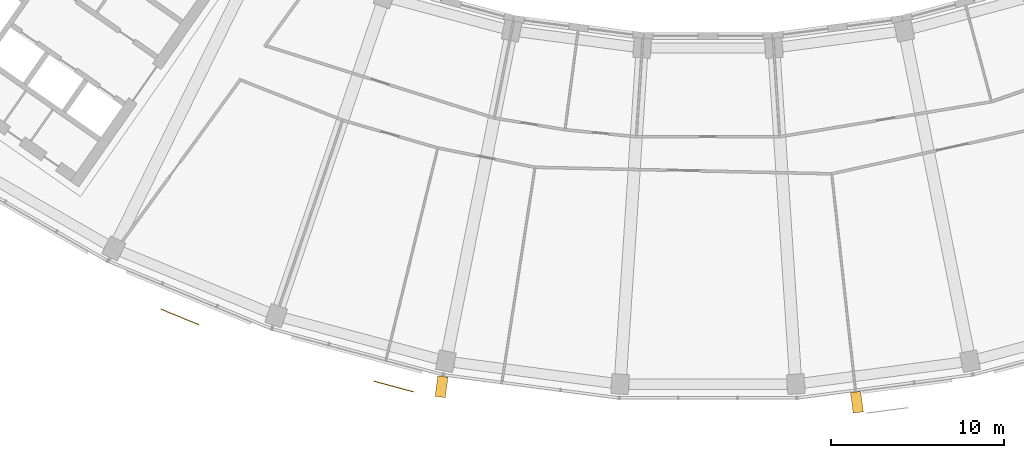
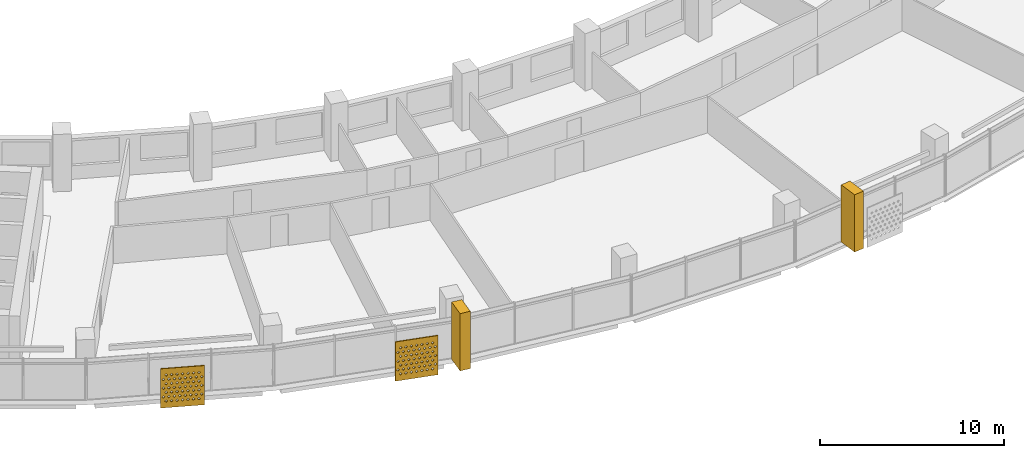
# One storey, part 25 of 28: 4 shading devices.
"""IFC4 building model written with IfcOpenShell, lengths in metres."""

from ifc_helpers import new_model, si_unit, direction, frame, origin, place, context, subcontext, project, spatial, polyline, outline, extrude, material, material_profile, profile_set, type_object, element, save


model = new_model("IFC4")

# Units and contexts
model_context = context("Model", 3, precision=1e-05, world=origin(), true_north=direction((0.0, 1.0)))
body_context = subcontext(model_context, "Body", "Model", "MODEL_VIEW")
ifc_project = project(units=[si_unit("LENGTHUNIT", "METRE"), si_unit("AREAUNIT", "SQUARE_METRE"), si_unit("VOLUMEUNIT", "CUBIC_METRE"), si_unit("PLANEANGLEUNIT", "RADIAN"), si_unit("MASSUNIT", "GRAM", prefix="KILO")], contexts=[model_context])

# Site, building, storey
site_placement = place(None, origin())
site = spatial("IfcSite", under=ifc_project, at=site_placement, CompositionType="ELEMENT")
building_placement = place(site_placement, origin())
building = spatial("IfcBuilding", under=site, at=building_placement, Name="Qamariyya Broadcast Tower", CompositionType="ELEMENT")
storey_placement = place(building_placement, frame((0.0, 0.0, 215.10009765625)))
storey = spatial("IfcBuildingStorey", under=building, at=storey_placement, Name="L51", CompositionType="ELEMENT", Elevation=215.10009765625)

# Shading devices
ifc_material_1 = material(Name="Steel S355 powder coated deep red", Category="steel")
shading_device_type_1 = type_object("IfcShadingDeviceType", Name="Deep red frame, powder coated steel box section", PredefinedType="USERDEFINED", material=ifc_material_1)
shading_device_1_placement = place(storey_placement, origin())
element("IfcShadingDevice", 1, at=shading_device_1_placement, inside=storey, type_object=shading_device_type_1, Name="e-frm-B4-F2-posta-L51", ObjectType="FRAME", PredefinedType="USERDEFINED", context=body_context, shape_type="SweptSolid", body=[
    extrude(outline(polyline([(-15.641357421875, -77.099609375), (-15.7978515625, -78.289306640625), (-15.203125, -78.36767578125), (-15.04638671875, -77.177978515625), (-15.641357421875, -77.099609375)])), origin(), (0.0, 0.0, 1.0), 3.7998046875),
])
shading_device_2_placement = place(storey_placement, origin())
element("IfcShadingDevice", 2, at=shading_device_2_placement, inside=storey, type_object=shading_device_type_1, Name="e-frm-B4-F2-postb-L51", ObjectType="FRAME", PredefinedType="USERDEFINED", context=body_context, shape_type="SweptSolid", body=[
    extrude(outline(polyline([(8.24658203125, -78.0732421875), (8.403076171875, -79.262939453125), (8.998046875, -79.1845703125), (8.84130859375, -77.994873046875), (8.24658203125, -78.0732421875)])), origin(), (0.0, 0.0, 1.0), 3.7998046875),
])
ifc_material_2 = material(Name="Perforated glazed terracotta", Category="masonry")
ifc_material_profile = material_profile(ifc_material_2, outline(polyline([(-1.199951171875, -1.300048828125), (1.199951171875, -1.300048828125), (1.199951171875, 1.300048828125), (-1.199951171875, 1.300048828125), (-1.199951171875, -1.300048828125)]), holes=[polyline([(-0.81494140625, -0.86669921875), (-0.89990234375, -0.78173828125), (-0.985107421875, -0.86669921875), (-0.89990234375, -0.95166015625), (-0.81494140625, -0.86669921875)]), polyline([(-0.514892578125, -0.86669921875), (-0.60009765625, -0.78173828125), (-0.68505859375, -0.86669921875), (-0.60009765625, -0.95166015625), (-0.514892578125, -0.86669921875)]), polyline([(-0.215087890625, -0.86669921875), (-0.300048828125, -0.78173828125), (-0.385009765625, -0.86669921875), (-0.300048828125, -0.95166015625), (-0.215087890625, -0.86669921875)]), polyline([(0.0849609375, -0.86669921875), (0.0, -0.78173828125), (-0.0849609375, -0.86669921875), (0.0, -0.95166015625), (0.0849609375, -0.86669921875)]), polyline([(0.385009765625, -0.86669921875), (0.300048828125, -0.78173828125), (0.215087890625, -0.86669921875), (0.300048828125, -0.95166015625), (0.385009765625, -0.86669921875)]), polyline([(0.68505859375, -0.86669921875), (0.60009765625, -0.78173828125), (0.514892578125, -0.86669921875), (0.60009765625, -0.95166015625), (0.68505859375, -0.86669921875)]), polyline([(0.985107421875, -0.86669921875), (0.89990234375, -0.78173828125), (0.81494140625, -0.86669921875), (0.89990234375, -0.95166015625), (0.985107421875, -0.86669921875)]), polyline([(-0.965087890625, -0.577880859375), (-1.050048828125, -0.49267578125), (-1.135009765625, -0.577880859375), (-1.050048828125, -0.662841796875), (-0.965087890625, -0.577880859375)]), polyline([(-0.6650390625, -0.577880859375), (-0.75, -0.49267578125), (-0.8349609375, -0.577880859375), (-0.75, -0.662841796875), (-0.6650390625, -0.577880859375)]), polyline([(-0.364990234375, -0.577880859375), (-0.449951171875, -0.49267578125), (-0.534912109375, -0.577880859375), (-0.449951171875, -0.662841796875), (-0.364990234375, -0.577880859375)]), polyline([(-0.06494140625, -0.577880859375), (-0.14990234375, -0.49267578125), (-0.235107421875, -0.577880859375), (-0.14990234375, -0.662841796875), (-0.06494140625, -0.577880859375)]), polyline([(0.235107421875, -0.577880859375), (0.14990234375, -0.49267578125), (0.06494140625, -0.577880859375), (0.14990234375, -0.662841796875), (0.235107421875, -0.577880859375)]), polyline([(0.534912109375, -0.577880859375), (0.449951171875, -0.49267578125), (0.364990234375, -0.577880859375), (0.449951171875, -0.662841796875), (0.534912109375, -0.577880859375)]), polyline([(0.8349609375, -0.577880859375), (0.75, -0.49267578125), (0.6650390625, -0.577880859375), (0.75, -0.662841796875), (0.8349609375, -0.577880859375)]), polyline([(1.135009765625, -0.577880859375), (1.050048828125, -0.49267578125), (0.965087890625, -0.577880859375), (1.050048828125, -0.662841796875), (1.135009765625, -0.577880859375)]), polyline([(-0.81494140625, -0.288818359375), (-0.89990234375, -0.203857421875), (-0.985107421875, -0.288818359375), (-0.89990234375, -0.373779296875), (-0.81494140625, -0.288818359375)]), polyline([(-0.514892578125, -0.288818359375), (-0.60009765625, -0.203857421875), (-0.68505859375, -0.288818359375), (-0.60009765625, -0.373779296875), (-0.514892578125, -0.288818359375)]), polyline([(-0.215087890625, -0.288818359375), (-0.300048828125, -0.203857421875), (-0.385009765625, -0.288818359375), (-0.300048828125, -0.373779296875), (-0.215087890625, -0.288818359375)]), polyline([(0.0849609375, -0.288818359375), (0.0, -0.203857421875), (-0.0849609375, -0.288818359375), (0.0, -0.373779296875), (0.0849609375, -0.288818359375)]), polyline([(0.385009765625, -0.288818359375), (0.300048828125, -0.203857421875), (0.215087890625, -0.288818359375), (0.300048828125, -0.373779296875), (0.385009765625, -0.288818359375)]), polyline([(0.68505859375, -0.288818359375), (0.60009765625, -0.203857421875), (0.514892578125, -0.288818359375), (0.60009765625, -0.373779296875), (0.68505859375, -0.288818359375)]), polyline([(0.985107421875, -0.288818359375), (0.89990234375, -0.203857421875), (0.81494140625, -0.288818359375), (0.89990234375, -0.373779296875), (0.985107421875, -0.288818359375)]), polyline([(-0.965087890625, 0.0), (-1.050048828125, 0.0849609375), (-1.135009765625, 0.0), (-1.050048828125, -0.0849609375), (-0.965087890625, 0.0)]), polyline([(-0.6650390625, 0.0), (-0.75, 0.0849609375), (-0.8349609375, 0.0), (-0.75, -0.0849609375), (-0.6650390625, 0.0)]), polyline([(-0.364990234375, 0.0), (-0.449951171875, 0.0849609375), (-0.534912109375, 0.0), (-0.449951171875, -0.0849609375), (-0.364990234375, 0.0)]), polyline([(-0.06494140625, 0.0), (-0.14990234375, 0.0849609375), (-0.235107421875, 0.0), (-0.14990234375, -0.0849609375), (-0.06494140625, 0.0)]), polyline([(0.235107421875, 0.0), (0.14990234375, 0.0849609375), (0.06494140625, 0.0), (0.14990234375, -0.0849609375), (0.235107421875, 0.0)]), polyline([(0.534912109375, 0.0), (0.449951171875, 0.0849609375), (0.364990234375, 0.0), (0.449951171875, -0.0849609375), (0.534912109375, 0.0)]), polyline([(0.8349609375, 0.0), (0.75, 0.0849609375), (0.6650390625, 0.0), (0.75, -0.0849609375), (0.8349609375, 0.0)]), polyline([(1.135009765625, 0.0), (1.050048828125, 0.0849609375), (0.965087890625, 0.0), (1.050048828125, -0.0849609375), (1.135009765625, 0.0)]), polyline([(-0.81494140625, 0.288818359375), (-0.89990234375, 0.373779296875), (-0.985107421875, 0.288818359375), (-0.89990234375, 0.203857421875), (-0.81494140625, 0.288818359375)]), polyline([(-0.514892578125, 0.288818359375), (-0.60009765625, 0.373779296875), (-0.68505859375, 0.288818359375), (-0.60009765625, 0.203857421875), (-0.514892578125, 0.288818359375)]), polyline([(-0.215087890625, 0.288818359375), (-0.300048828125, 0.373779296875), (-0.385009765625, 0.288818359375), (-0.300048828125, 0.203857421875), (-0.215087890625, 0.288818359375)]), polyline([(0.0849609375, 0.288818359375), (0.0, 0.373779296875), (-0.0849609375, 0.288818359375), (0.0, 0.203857421875), (0.0849609375, 0.288818359375)]), polyline([(0.385009765625, 0.288818359375), (0.300048828125, 0.373779296875), (0.215087890625, 0.288818359375), (0.300048828125, 0.203857421875), (0.385009765625, 0.288818359375)]), polyline([(0.68505859375, 0.288818359375), (0.60009765625, 0.373779296875), (0.514892578125, 0.288818359375), (0.60009765625, 0.203857421875), (0.68505859375, 0.288818359375)]), polyline([(0.985107421875, 0.288818359375), (0.89990234375, 0.373779296875), (0.81494140625, 0.288818359375), (0.89990234375, 0.203857421875), (0.985107421875, 0.288818359375)]), polyline([(-0.965087890625, 0.577880859375), (-1.050048828125, 0.662841796875), (-1.135009765625, 0.577880859375), (-1.050048828125, 0.49267578125), (-0.965087890625, 0.577880859375)]), polyline([(-0.6650390625, 0.577880859375), (-0.75, 0.662841796875), (-0.8349609375, 0.577880859375), (-0.75, 0.49267578125), (-0.6650390625, 0.577880859375)]), polyline([(-0.364990234375, 0.577880859375), (-0.449951171875, 0.662841796875), (-0.534912109375, 0.577880859375), (-0.449951171875, 0.49267578125), (-0.364990234375, 0.577880859375)]), polyline([(-0.06494140625, 0.577880859375), (-0.14990234375, 0.662841796875), (-0.235107421875, 0.577880859375), (-0.14990234375, 0.49267578125), (-0.06494140625, 0.577880859375)]), polyline([(0.235107421875, 0.577880859375), (0.14990234375, 0.662841796875), (0.06494140625, 0.577880859375), (0.14990234375, 0.49267578125), (0.235107421875, 0.577880859375)]), polyline([(0.534912109375, 0.577880859375), (0.449951171875, 0.662841796875), (0.364990234375, 0.577880859375), (0.449951171875, 0.49267578125), (0.534912109375, 0.577880859375)]), polyline([(0.8349609375, 0.577880859375), (0.75, 0.662841796875), (0.6650390625, 0.577880859375), (0.75, 0.49267578125), (0.8349609375, 0.577880859375)]), polyline([(1.135009765625, 0.577880859375), (1.050048828125, 0.662841796875), (0.965087890625, 0.577880859375), (1.050048828125, 0.49267578125), (1.135009765625, 0.577880859375)]), polyline([(-0.81494140625, 0.86669921875), (-0.89990234375, 0.95166015625), (-0.985107421875, 0.86669921875), (-0.89990234375, 0.78173828125), (-0.81494140625, 0.86669921875)]), polyline([(-0.514892578125, 0.86669921875), (-0.60009765625, 0.95166015625), (-0.68505859375, 0.86669921875), (-0.60009765625, 0.78173828125), (-0.514892578125, 0.86669921875)]), polyline([(-0.215087890625, 0.86669921875), (-0.300048828125, 0.95166015625), (-0.385009765625, 0.86669921875), (-0.300048828125, 0.78173828125), (-0.215087890625, 0.86669921875)]), polyline([(0.0849609375, 0.86669921875), (0.0, 0.95166015625), (-0.0849609375, 0.86669921875), (0.0, 0.78173828125), (0.0849609375, 0.86669921875)]), polyline([(0.385009765625, 0.86669921875), (0.300048828125, 0.95166015625), (0.215087890625, 0.86669921875), (0.300048828125, 0.78173828125), (0.385009765625, 0.86669921875)]), polyline([(0.68505859375, 0.86669921875), (0.60009765625, 0.95166015625), (0.514892578125, 0.86669921875), (0.60009765625, 0.78173828125), (0.68505859375, 0.86669921875)]), polyline([(0.985107421875, 0.86669921875), (0.89990234375, 0.95166015625), (0.81494140625, 0.86669921875), (0.89990234375, 0.78173828125), (0.985107421875, 0.86669921875)])]))
ifc_profile_set = profile_set([ifc_material_profile], Name="Perforated glazed terracotta")
shading_device_type_2 = type_object("IfcShadingDeviceType", Name="Perforated terracotta screen 2400 x 2600", PredefinedType="USERDEFINED", material=ifc_profile_set)
shading_device_3_placement = place(storey_placement, frame((-30.552978515625, -73.6669921875, 1.349853515625), z_axis=(-0.381157654408, -0.924510055373, 0.0), x_axis=(0.924510055373, -0.381157654408, 0.0)))
element("IfcShadingDevice", 3, at=shading_device_3_placement, inside=storey, type_object=shading_device_type_2, Name="e-scr-L51-05-1", ObjectType="SCREEN", PredefinedType="USERDEFINED", context=body_context, shape_type="SweptSolid", body=[
    extrude(outline(polyline([(-1.199951171875, -1.300048828125), (1.199951171875, -1.300048828125), (1.199951171875, 1.300048828125), (-1.199951171875, 1.300048828125), (-1.199951171875, -1.300048828125)]), holes=[polyline([(-0.81494140625, -0.86669921875), (-0.89990234375, -0.78173828125), (-0.985107421875, -0.86669921875), (-0.89990234375, -0.95166015625), (-0.81494140625, -0.86669921875)]), polyline([(-0.514892578125, -0.86669921875), (-0.60009765625, -0.78173828125), (-0.68505859375, -0.86669921875), (-0.60009765625, -0.95166015625), (-0.514892578125, -0.86669921875)]), polyline([(-0.215087890625, -0.86669921875), (-0.300048828125, -0.78173828125), (-0.385009765625, -0.86669921875), (-0.300048828125, -0.95166015625), (-0.215087890625, -0.86669921875)]), polyline([(0.0849609375, -0.86669921875), (0.0, -0.78173828125), (-0.0849609375, -0.86669921875), (0.0, -0.95166015625), (0.0849609375, -0.86669921875)]), polyline([(0.385009765625, -0.86669921875), (0.300048828125, -0.78173828125), (0.215087890625, -0.86669921875), (0.300048828125, -0.95166015625), (0.385009765625, -0.86669921875)]), polyline([(0.68505859375, -0.86669921875), (0.60009765625, -0.78173828125), (0.514892578125, -0.86669921875), (0.60009765625, -0.95166015625), (0.68505859375, -0.86669921875)]), polyline([(0.985107421875, -0.86669921875), (0.89990234375, -0.78173828125), (0.81494140625, -0.86669921875), (0.89990234375, -0.95166015625), (0.985107421875, -0.86669921875)]), polyline([(-0.965087890625, -0.577880859375), (-1.050048828125, -0.49267578125), (-1.135009765625, -0.577880859375), (-1.050048828125, -0.662841796875), (-0.965087890625, -0.577880859375)]), polyline([(-0.6650390625, -0.577880859375), (-0.75, -0.49267578125), (-0.8349609375, -0.577880859375), (-0.75, -0.662841796875), (-0.6650390625, -0.577880859375)]), polyline([(-0.364990234375, -0.577880859375), (-0.449951171875, -0.49267578125), (-0.534912109375, -0.577880859375), (-0.449951171875, -0.662841796875), (-0.364990234375, -0.577880859375)]), polyline([(-0.06494140625, -0.577880859375), (-0.14990234375, -0.49267578125), (-0.235107421875, -0.577880859375), (-0.14990234375, -0.662841796875), (-0.06494140625, -0.577880859375)]), polyline([(0.235107421875, -0.577880859375), (0.14990234375, -0.49267578125), (0.06494140625, -0.577880859375), (0.14990234375, -0.662841796875), (0.235107421875, -0.577880859375)]), polyline([(0.534912109375, -0.577880859375), (0.449951171875, -0.49267578125), (0.364990234375, -0.577880859375), (0.449951171875, -0.662841796875), (0.534912109375, -0.577880859375)]), polyline([(0.8349609375, -0.577880859375), (0.75, -0.49267578125), (0.6650390625, -0.577880859375), (0.75, -0.662841796875), (0.8349609375, -0.577880859375)]), polyline([(1.135009765625, -0.577880859375), (1.050048828125, -0.49267578125), (0.965087890625, -0.577880859375), (1.050048828125, -0.662841796875), (1.135009765625, -0.577880859375)]), polyline([(-0.81494140625, -0.288818359375), (-0.89990234375, -0.203857421875), (-0.985107421875, -0.288818359375), (-0.89990234375, -0.373779296875), (-0.81494140625, -0.288818359375)]), polyline([(-0.514892578125, -0.288818359375), (-0.60009765625, -0.203857421875), (-0.68505859375, -0.288818359375), (-0.60009765625, -0.373779296875), (-0.514892578125, -0.288818359375)]), polyline([(-0.215087890625, -0.288818359375), (-0.300048828125, -0.203857421875), (-0.385009765625, -0.288818359375), (-0.300048828125, -0.373779296875), (-0.215087890625, -0.288818359375)]), polyline([(0.0849609375, -0.288818359375), (0.0, -0.203857421875), (-0.0849609375, -0.288818359375), (0.0, -0.373779296875), (0.0849609375, -0.288818359375)]), polyline([(0.385009765625, -0.288818359375), (0.300048828125, -0.203857421875), (0.215087890625, -0.288818359375), (0.300048828125, -0.373779296875), (0.385009765625, -0.288818359375)]), polyline([(0.68505859375, -0.288818359375), (0.60009765625, -0.203857421875), (0.514892578125, -0.288818359375), (0.60009765625, -0.373779296875), (0.68505859375, -0.288818359375)]), polyline([(0.985107421875, -0.288818359375), (0.89990234375, -0.203857421875), (0.81494140625, -0.288818359375), (0.89990234375, -0.373779296875), (0.985107421875, -0.288818359375)]), polyline([(-0.965087890625, 0.0), (-1.050048828125, 0.0849609375), (-1.135009765625, 0.0), (-1.050048828125, -0.0849609375), (-0.965087890625, 0.0)]), polyline([(-0.6650390625, 0.0), (-0.75, 0.0849609375), (-0.8349609375, 0.0), (-0.75, -0.0849609375), (-0.6650390625, 0.0)]), polyline([(-0.364990234375, 0.0), (-0.449951171875, 0.0849609375), (-0.534912109375, 0.0), (-0.449951171875, -0.0849609375), (-0.364990234375, 0.0)]), polyline([(-0.06494140625, 0.0), (-0.14990234375, 0.0849609375), (-0.235107421875, 0.0), (-0.14990234375, -0.0849609375), (-0.06494140625, 0.0)]), polyline([(0.235107421875, 0.0), (0.14990234375, 0.0849609375), (0.06494140625, 0.0), (0.14990234375, -0.0849609375), (0.235107421875, 0.0)]), polyline([(0.534912109375, 0.0), (0.449951171875, 0.0849609375), (0.364990234375, 0.0), (0.449951171875, -0.0849609375), (0.534912109375, 0.0)]), polyline([(0.8349609375, 0.0), (0.75, 0.0849609375), (0.6650390625, 0.0), (0.75, -0.0849609375), (0.8349609375, 0.0)]), polyline([(1.135009765625, 0.0), (1.050048828125, 0.0849609375), (0.965087890625, 0.0), (1.050048828125, -0.0849609375), (1.135009765625, 0.0)]), polyline([(-0.81494140625, 0.288818359375), (-0.89990234375, 0.373779296875), (-0.985107421875, 0.288818359375), (-0.89990234375, 0.203857421875), (-0.81494140625, 0.288818359375)]), polyline([(-0.514892578125, 0.288818359375), (-0.60009765625, 0.373779296875), (-0.68505859375, 0.288818359375), (-0.60009765625, 0.203857421875), (-0.514892578125, 0.288818359375)]), polyline([(-0.215087890625, 0.288818359375), (-0.300048828125, 0.373779296875), (-0.385009765625, 0.288818359375), (-0.300048828125, 0.203857421875), (-0.215087890625, 0.288818359375)]), polyline([(0.0849609375, 0.288818359375), (0.0, 0.373779296875), (-0.0849609375, 0.288818359375), (0.0, 0.203857421875), (0.0849609375, 0.288818359375)]), polyline([(0.385009765625, 0.288818359375), (0.300048828125, 0.373779296875), (0.215087890625, 0.288818359375), (0.300048828125, 0.203857421875), (0.385009765625, 0.288818359375)]), polyline([(0.68505859375, 0.288818359375), (0.60009765625, 0.373779296875), (0.514892578125, 0.288818359375), (0.60009765625, 0.203857421875), (0.68505859375, 0.288818359375)]), polyline([(0.985107421875, 0.288818359375), (0.89990234375, 0.373779296875), (0.81494140625, 0.288818359375), (0.89990234375, 0.203857421875), (0.985107421875, 0.288818359375)]), polyline([(-0.965087890625, 0.577880859375), (-1.050048828125, 0.662841796875), (-1.135009765625, 0.577880859375), (-1.050048828125, 0.49267578125), (-0.965087890625, 0.577880859375)]), polyline([(-0.6650390625, 0.577880859375), (-0.75, 0.662841796875), (-0.8349609375, 0.577880859375), (-0.75, 0.49267578125), (-0.6650390625, 0.577880859375)]), polyline([(-0.364990234375, 0.577880859375), (-0.449951171875, 0.662841796875), (-0.534912109375, 0.577880859375), (-0.449951171875, 0.49267578125), (-0.364990234375, 0.577880859375)]), polyline([(-0.06494140625, 0.577880859375), (-0.14990234375, 0.662841796875), (-0.235107421875, 0.577880859375), (-0.14990234375, 0.49267578125), (-0.06494140625, 0.577880859375)]), polyline([(0.235107421875, 0.577880859375), (0.14990234375, 0.662841796875), (0.06494140625, 0.577880859375), (0.14990234375, 0.49267578125), (0.235107421875, 0.577880859375)]), polyline([(0.534912109375, 0.577880859375), (0.449951171875, 0.662841796875), (0.364990234375, 0.577880859375), (0.449951171875, 0.49267578125), (0.534912109375, 0.577880859375)]), polyline([(0.8349609375, 0.577880859375), (0.75, 0.662841796875), (0.6650390625, 0.577880859375), (0.75, 0.49267578125), (0.8349609375, 0.577880859375)]), polyline([(1.135009765625, 0.577880859375), (1.050048828125, 0.662841796875), (0.965087890625, 0.577880859375), (1.050048828125, 0.49267578125), (1.135009765625, 0.577880859375)]), polyline([(-0.81494140625, 0.86669921875), (-0.89990234375, 0.95166015625), (-0.985107421875, 0.86669921875), (-0.89990234375, 0.78173828125), (-0.81494140625, 0.86669921875)]), polyline([(-0.514892578125, 0.86669921875), (-0.60009765625, 0.95166015625), (-0.68505859375, 0.86669921875), (-0.60009765625, 0.78173828125), (-0.514892578125, 0.86669921875)]), polyline([(-0.215087890625, 0.86669921875), (-0.300048828125, 0.95166015625), (-0.385009765625, 0.86669921875), (-0.300048828125, 0.78173828125), (-0.215087890625, 0.86669921875)]), polyline([(0.0849609375, 0.86669921875), (0.0, 0.95166015625), (-0.0849609375, 0.86669921875), (0.0, 0.78173828125), (0.0849609375, 0.86669921875)]), polyline([(0.385009765625, 0.86669921875), (0.300048828125, 0.95166015625), (0.215087890625, 0.86669921875), (0.300048828125, 0.78173828125), (0.385009765625, 0.86669921875)]), polyline([(0.68505859375, 0.86669921875), (0.60009765625, 0.95166015625), (0.514892578125, 0.86669921875), (0.60009765625, 0.78173828125), (0.68505859375, 0.86669921875)]), polyline([(0.985107421875, 0.86669921875), (0.89990234375, 0.95166015625), (0.81494140625, 0.86669921875), (0.89990234375, 0.78173828125), (0.985107421875, 0.86669921875)])]), origin(), (0.0, 0.0, 1.0), 0.060302734375),
])
shading_device_4_placement = place(storey_placement, frame((-18.191650390625, -77.6904296875, 1.349853515625), z_axis=(-0.259682438219, -0.965694067125, 0.0), x_axis=(0.965694067125, -0.259682438219, 0.0)))
element("IfcShadingDevice", 4, at=shading_device_4_placement, inside=storey, type_object=shading_device_type_2, Name="e-scr-L51-06-2", ObjectType="SCREEN", PredefinedType="USERDEFINED", context=body_context, shape_type="SweptSolid", body=[
    extrude(outline(polyline([(-1.199951171875, -1.300048828125), (1.199951171875, -1.300048828125), (1.199951171875, 1.300048828125), (-1.199951171875, 1.300048828125), (-1.199951171875, -1.300048828125)]), holes=[polyline([(-0.81494140625, -0.86669921875), (-0.89990234375, -0.78173828125), (-0.985107421875, -0.86669921875), (-0.89990234375, -0.95166015625), (-0.81494140625, -0.86669921875)]), polyline([(-0.514892578125, -0.86669921875), (-0.60009765625, -0.78173828125), (-0.68505859375, -0.86669921875), (-0.60009765625, -0.95166015625), (-0.514892578125, -0.86669921875)]), polyline([(-0.215087890625, -0.86669921875), (-0.300048828125, -0.78173828125), (-0.385009765625, -0.86669921875), (-0.300048828125, -0.95166015625), (-0.215087890625, -0.86669921875)]), polyline([(0.0849609375, -0.86669921875), (0.0, -0.78173828125), (-0.0849609375, -0.86669921875), (0.0, -0.95166015625), (0.0849609375, -0.86669921875)]), polyline([(0.385009765625, -0.86669921875), (0.300048828125, -0.78173828125), (0.215087890625, -0.86669921875), (0.300048828125, -0.95166015625), (0.385009765625, -0.86669921875)]), polyline([(0.68505859375, -0.86669921875), (0.60009765625, -0.78173828125), (0.514892578125, -0.86669921875), (0.60009765625, -0.95166015625), (0.68505859375, -0.86669921875)]), polyline([(0.985107421875, -0.86669921875), (0.89990234375, -0.78173828125), (0.81494140625, -0.86669921875), (0.89990234375, -0.95166015625), (0.985107421875, -0.86669921875)]), polyline([(-0.965087890625, -0.577880859375), (-1.050048828125, -0.49267578125), (-1.135009765625, -0.577880859375), (-1.050048828125, -0.662841796875), (-0.965087890625, -0.577880859375)]), polyline([(-0.6650390625, -0.577880859375), (-0.75, -0.49267578125), (-0.8349609375, -0.577880859375), (-0.75, -0.662841796875), (-0.6650390625, -0.577880859375)]), polyline([(-0.364990234375, -0.577880859375), (-0.449951171875, -0.49267578125), (-0.534912109375, -0.577880859375), (-0.449951171875, -0.662841796875), (-0.364990234375, -0.577880859375)]), polyline([(-0.06494140625, -0.577880859375), (-0.14990234375, -0.49267578125), (-0.235107421875, -0.577880859375), (-0.14990234375, -0.662841796875), (-0.06494140625, -0.577880859375)]), polyline([(0.235107421875, -0.577880859375), (0.14990234375, -0.49267578125), (0.06494140625, -0.577880859375), (0.14990234375, -0.662841796875), (0.235107421875, -0.577880859375)]), polyline([(0.534912109375, -0.577880859375), (0.449951171875, -0.49267578125), (0.364990234375, -0.577880859375), (0.449951171875, -0.662841796875), (0.534912109375, -0.577880859375)]), polyline([(0.8349609375, -0.577880859375), (0.75, -0.49267578125), (0.6650390625, -0.577880859375), (0.75, -0.662841796875), (0.8349609375, -0.577880859375)]), polyline([(1.135009765625, -0.577880859375), (1.050048828125, -0.49267578125), (0.965087890625, -0.577880859375), (1.050048828125, -0.662841796875), (1.135009765625, -0.577880859375)]), polyline([(-0.81494140625, -0.288818359375), (-0.89990234375, -0.203857421875), (-0.985107421875, -0.288818359375), (-0.89990234375, -0.373779296875), (-0.81494140625, -0.288818359375)]), polyline([(-0.514892578125, -0.288818359375), (-0.60009765625, -0.203857421875), (-0.68505859375, -0.288818359375), (-0.60009765625, -0.373779296875), (-0.514892578125, -0.288818359375)]), polyline([(-0.215087890625, -0.288818359375), (-0.300048828125, -0.203857421875), (-0.385009765625, -0.288818359375), (-0.300048828125, -0.373779296875), (-0.215087890625, -0.288818359375)]), polyline([(0.0849609375, -0.288818359375), (0.0, -0.203857421875), (-0.0849609375, -0.288818359375), (0.0, -0.373779296875), (0.0849609375, -0.288818359375)]), polyline([(0.385009765625, -0.288818359375), (0.300048828125, -0.203857421875), (0.215087890625, -0.288818359375), (0.300048828125, -0.373779296875), (0.385009765625, -0.288818359375)]), polyline([(0.68505859375, -0.288818359375), (0.60009765625, -0.203857421875), (0.514892578125, -0.288818359375), (0.60009765625, -0.373779296875), (0.68505859375, -0.288818359375)]), polyline([(0.985107421875, -0.288818359375), (0.89990234375, -0.203857421875), (0.81494140625, -0.288818359375), (0.89990234375, -0.373779296875), (0.985107421875, -0.288818359375)]), polyline([(-0.965087890625, 0.0), (-1.050048828125, 0.0849609375), (-1.135009765625, 0.0), (-1.050048828125, -0.0849609375), (-0.965087890625, 0.0)]), polyline([(-0.6650390625, 0.0), (-0.75, 0.0849609375), (-0.8349609375, 0.0), (-0.75, -0.0849609375), (-0.6650390625, 0.0)]), polyline([(-0.364990234375, 0.0), (-0.449951171875, 0.0849609375), (-0.534912109375, 0.0), (-0.449951171875, -0.0849609375), (-0.364990234375, 0.0)]), polyline([(-0.06494140625, 0.0), (-0.14990234375, 0.0849609375), (-0.235107421875, 0.0), (-0.14990234375, -0.0849609375), (-0.06494140625, 0.0)]), polyline([(0.235107421875, 0.0), (0.14990234375, 0.0849609375), (0.06494140625, 0.0), (0.14990234375, -0.0849609375), (0.235107421875, 0.0)]), polyline([(0.534912109375, 0.0), (0.449951171875, 0.0849609375), (0.364990234375, 0.0), (0.449951171875, -0.0849609375), (0.534912109375, 0.0)]), polyline([(0.8349609375, 0.0), (0.75, 0.0849609375), (0.6650390625, 0.0), (0.75, -0.0849609375), (0.8349609375, 0.0)]), polyline([(1.135009765625, 0.0), (1.050048828125, 0.0849609375), (0.965087890625, 0.0), (1.050048828125, -0.0849609375), (1.135009765625, 0.0)]), polyline([(-0.81494140625, 0.288818359375), (-0.89990234375, 0.373779296875), (-0.985107421875, 0.288818359375), (-0.89990234375, 0.203857421875), (-0.81494140625, 0.288818359375)]), polyline([(-0.514892578125, 0.288818359375), (-0.60009765625, 0.373779296875), (-0.68505859375, 0.288818359375), (-0.60009765625, 0.203857421875), (-0.514892578125, 0.288818359375)]), polyline([(-0.215087890625, 0.288818359375), (-0.300048828125, 0.373779296875), (-0.385009765625, 0.288818359375), (-0.300048828125, 0.203857421875), (-0.215087890625, 0.288818359375)]), polyline([(0.0849609375, 0.288818359375), (0.0, 0.373779296875), (-0.0849609375, 0.288818359375), (0.0, 0.203857421875), (0.0849609375, 0.288818359375)]), polyline([(0.385009765625, 0.288818359375), (0.300048828125, 0.373779296875), (0.215087890625, 0.288818359375), (0.300048828125, 0.203857421875), (0.385009765625, 0.288818359375)]), polyline([(0.68505859375, 0.288818359375), (0.60009765625, 0.373779296875), (0.514892578125, 0.288818359375), (0.60009765625, 0.203857421875), (0.68505859375, 0.288818359375)]), polyline([(0.985107421875, 0.288818359375), (0.89990234375, 0.373779296875), (0.81494140625, 0.288818359375), (0.89990234375, 0.203857421875), (0.985107421875, 0.288818359375)]), polyline([(-0.965087890625, 0.577880859375), (-1.050048828125, 0.662841796875), (-1.135009765625, 0.577880859375), (-1.050048828125, 0.49267578125), (-0.965087890625, 0.577880859375)]), polyline([(-0.6650390625, 0.577880859375), (-0.75, 0.662841796875), (-0.8349609375, 0.577880859375), (-0.75, 0.49267578125), (-0.6650390625, 0.577880859375)]), polyline([(-0.364990234375, 0.577880859375), (-0.449951171875, 0.662841796875), (-0.534912109375, 0.577880859375), (-0.449951171875, 0.49267578125), (-0.364990234375, 0.577880859375)]), polyline([(-0.06494140625, 0.577880859375), (-0.14990234375, 0.662841796875), (-0.235107421875, 0.577880859375), (-0.14990234375, 0.49267578125), (-0.06494140625, 0.577880859375)]), polyline([(0.235107421875, 0.577880859375), (0.14990234375, 0.662841796875), (0.06494140625, 0.577880859375), (0.14990234375, 0.49267578125), (0.235107421875, 0.577880859375)]), polyline([(0.534912109375, 0.577880859375), (0.449951171875, 0.662841796875), (0.364990234375, 0.577880859375), (0.449951171875, 0.49267578125), (0.534912109375, 0.577880859375)]), polyline([(0.8349609375, 0.577880859375), (0.75, 0.662841796875), (0.6650390625, 0.577880859375), (0.75, 0.49267578125), (0.8349609375, 0.577880859375)]), polyline([(1.135009765625, 0.577880859375), (1.050048828125, 0.662841796875), (0.965087890625, 0.577880859375), (1.050048828125, 0.49267578125), (1.135009765625, 0.577880859375)]), polyline([(-0.81494140625, 0.86669921875), (-0.89990234375, 0.95166015625), (-0.985107421875, 0.86669921875), (-0.89990234375, 0.78173828125), (-0.81494140625, 0.86669921875)]), polyline([(-0.514892578125, 0.86669921875), (-0.60009765625, 0.95166015625), (-0.68505859375, 0.86669921875), (-0.60009765625, 0.78173828125), (-0.514892578125, 0.86669921875)]), polyline([(-0.215087890625, 0.86669921875), (-0.300048828125, 0.95166015625), (-0.385009765625, 0.86669921875), (-0.300048828125, 0.78173828125), (-0.215087890625, 0.86669921875)]), polyline([(0.0849609375, 0.86669921875), (0.0, 0.95166015625), (-0.0849609375, 0.86669921875), (0.0, 0.78173828125), (0.0849609375, 0.86669921875)]), polyline([(0.385009765625, 0.86669921875), (0.300048828125, 0.95166015625), (0.215087890625, 0.86669921875), (0.300048828125, 0.78173828125), (0.385009765625, 0.86669921875)]), polyline([(0.68505859375, 0.86669921875), (0.60009765625, 0.95166015625), (0.514892578125, 0.86669921875), (0.60009765625, 0.78173828125), (0.68505859375, 0.86669921875)]), polyline([(0.985107421875, 0.86669921875), (0.89990234375, 0.95166015625), (0.81494140625, 0.86669921875), (0.89990234375, 0.78173828125), (0.985107421875, 0.86669921875)])]), origin(), (0.0, 0.0, 1.0), 0.06005859375),
])

save(model, "model.ifc")
